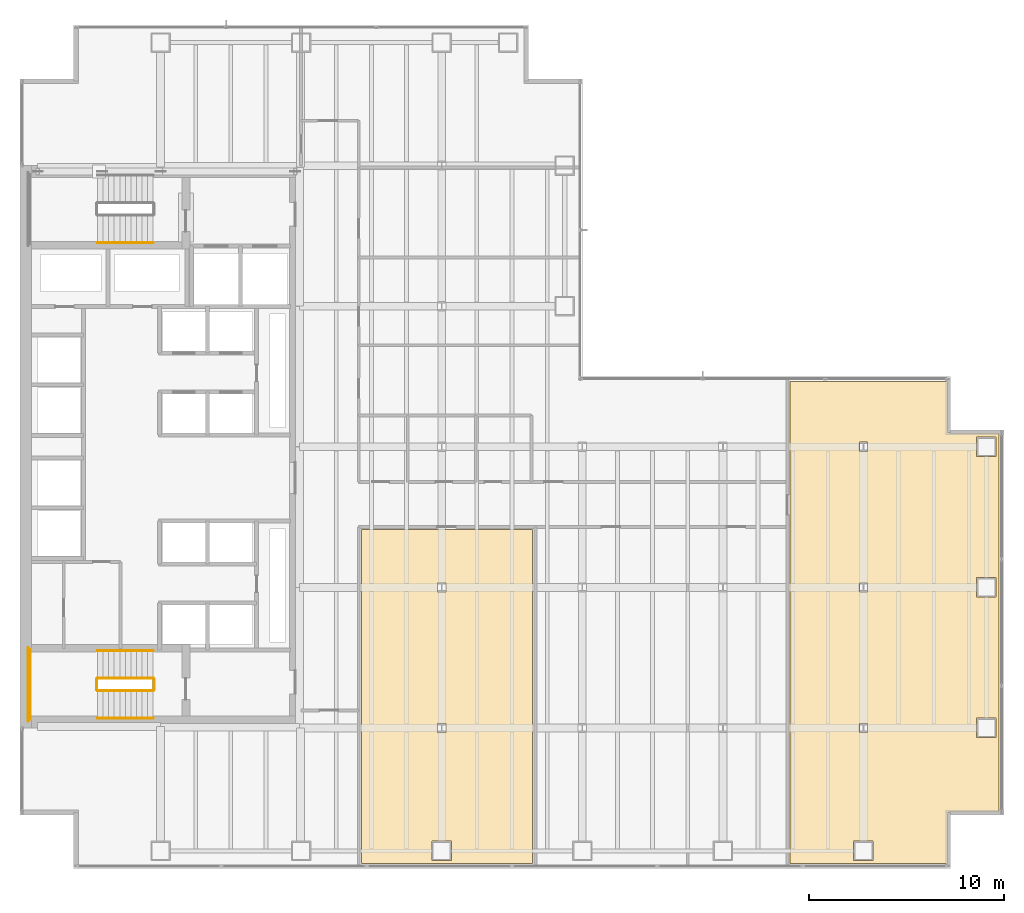
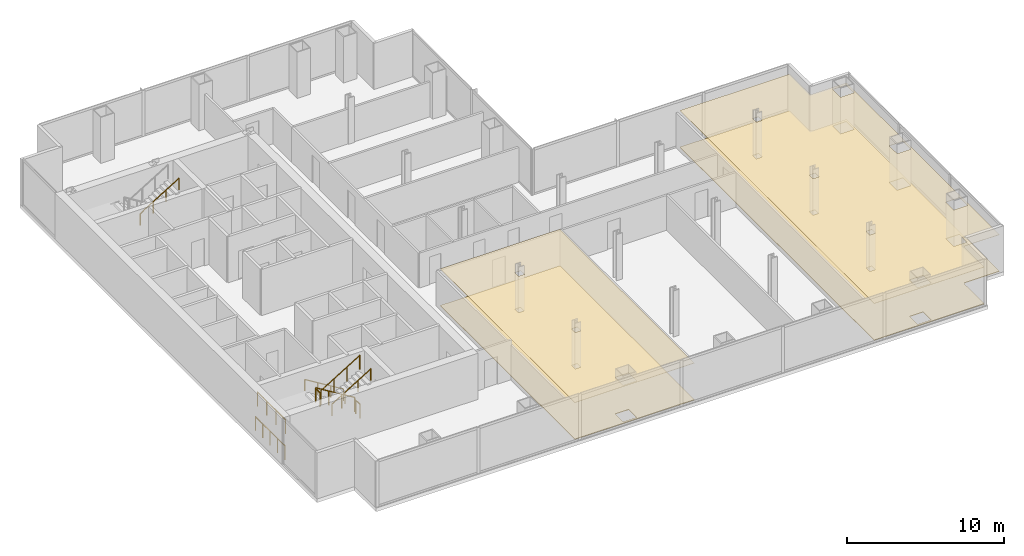
# One storey, part 23 of 24: 9 railings, 4 coverings.
"""IFC4 building model written with IfcOpenShell, lengths in metres."""

from ifc_helpers import new_model, si_unit, direction, frame, origin, origin_2d, place, context, subcontext, project, spatial, polyline, circle, outline, extrude, material, layer, layer_set, type_object, element, save


model = new_model("IFC4")

# Units and contexts
model_context = context("Model", 3, precision=1e-05, world=origin(), true_north=direction((0.0, 1.0)))
body_context = subcontext(model_context, "Body", "Model", "MODEL_VIEW")
ifc_project = project(units=[si_unit("LENGTHUNIT", "METRE"), si_unit("AREAUNIT", "SQUARE_METRE"), si_unit("VOLUMEUNIT", "CUBIC_METRE"), si_unit("PLANEANGLEUNIT", "RADIAN"), si_unit("MASSUNIT", "GRAM", prefix="KILO")], contexts=[model_context])

# Site, building, storey
site_placement = place(None, origin())
site = spatial("IfcSite", under=ifc_project, at=site_placement, CompositionType="ELEMENT")
building_placement = place(site_placement, origin())
building = spatial("IfcBuilding", under=site, at=building_placement, Name="Cobrela Telecom Tower", CompositionType="ELEMENT")
storey_placement = place(building_placement, frame((0.0, 0.0, 69.64990234375)))
storey = spatial("IfcBuildingStorey", under=building, at=storey_placement, Name="L17", CompositionType="ELEMENT", Elevation=69.64990234375)

# Coverings
ifc_material_1 = material(Name="Mineral Fibre Acoustic Ceiling Tile")
ifc_layer_1 = layer(ifc_material_1, 0.02490234375)
ifc_layer_set_1 = layer_set([ifc_layer_1], Name="Mineral Fibre Acoustic Ceiling Tile")
covering_type_1 = type_object("IfcCoveringType", Name="COV-CEIL-ACT", PredefinedType="CEILING", material=ifc_layer_set_1)
covering_1_placement = place(storey_placement, frame((0.0, 0.0, 2.85009765625)))
element("IfcCovering", 1, at=covering_1_placement, inside=storey, type_object=covering_type_1, Name="L17 Systems Engineering Studio 10 Suspended Acoustic Ceiling", PredefinedType="CEILING", context=body_context, shape_type="SweptSolid", body=[
    extrude(outline(polyline([(47.622802734375, 2.887451171875), (47.609375, 2.884033203125), (47.596435546875, 2.87939453125), (47.583984375, 2.87353515625), (47.572021484375, 2.866455078125), (47.561279296875, 2.8583984375), (47.551025390625, 2.84912109375), (47.541748046875, 2.8388671875), (47.53369140625, 2.827880859375), (47.526611328125, 2.81591796875), (47.5205078125, 2.8037109375), (47.51611328125, 2.79052734375), (47.5126953125, 2.77734375), (47.510498046875, 2.763671875), (47.510009765625, 2.7509765625), (47.510009765625, 0.260009765625), (39.43994140625, 0.260009765625), (39.43994140625, 24.93994140625), (47.510009765625, 24.93994140625), (47.510009765625, 22.448974609375), (47.510498046875, 22.436279296875), (47.5126953125, 22.422607421875), (47.51611328125, 22.409423828125), (47.5205078125, 22.396484375), (47.526611328125, 22.384033203125), (47.53369140625, 22.3720703125), (47.541748046875, 22.361083984375), (47.551025390625, 22.35107421875), (47.561279296875, 22.341796875), (47.572021484375, 22.33349609375), (47.583984375, 22.326416015625), (47.596435546875, 22.320556640625), (47.609375, 22.31591796875), (47.622802734375, 22.3125), (47.63623046875, 22.310546875), (47.64892578125, 22.31005859375), (50.139892578125, 22.31005859375), (50.139892578125, 2.889892578125), (47.64892578125, 2.889892578125), (47.63623046875, 2.889404296875), (47.622802734375, 2.887451171875)]), holes=[polyline([(43.699951171875, 0.39990234375), (43.699951171875, 1.39990234375), (42.699951171875, 1.39990234375), (42.699951171875, 0.39990234375), (43.699951171875, 0.39990234375)]), polyline([(43.410888671875, 6.967529296875), (43.410888671875, 7.4326171875), (42.989013671875, 7.4326171875), (42.989013671875, 6.967529296875), (43.410888671875, 6.967529296875)]), polyline([(50.0, 6.699951171875), (50.0, 7.699951171875), (49.0, 7.699951171875), (49.0, 6.699951171875), (50.0, 6.699951171875)]), polyline([(43.410888671875, 14.16748046875), (43.410888671875, 14.632568359375), (42.989013671875, 14.632568359375), (42.989013671875, 14.16748046875), (43.410888671875, 14.16748046875)]), polyline([(50.0, 13.89990234375), (50.0, 14.89990234375), (49.0, 14.89990234375), (49.0, 13.89990234375), (50.0, 13.89990234375)]), polyline([(43.410888671875, 21.367431640625), (43.410888671875, 21.83251953125), (42.989013671875, 21.83251953125), (42.989013671875, 21.367431640625), (43.410888671875, 21.367431640625)]), polyline([(50.0, 21.10009765625), (50.0, 22.10009765625), (49.0, 22.10009765625), (49.0, 21.10009765625), (50.0, 21.10009765625)])]), origin(), (0.0, 0.0, 1.0), 0.02490234375),
])
covering_2_placement = place(storey_placement, frame((0.0, 0.0, 2.85009765625)))
element("IfcCovering", 2, at=covering_2_placement, inside=storey, type_object=covering_type_1, Name="L17 Systems Engineering Studio 7 Suspended Acoustic Ceiling", PredefinedType="CEILING", context=body_context, shape_type="SweptSolid", body=[
    extrude(outline(polyline([(26.260009765625, 0.260009765625), (17.489990234375, 0.260009765625), (17.489990234375, 17.360107421875), (26.260009765625, 17.360107421875), (26.260009765625, 0.260009765625)]), holes=[polyline([(22.10009765625, 0.39990234375), (22.10009765625, 1.39990234375), (21.10009765625, 1.39990234375), (21.10009765625, 0.39990234375), (22.10009765625, 0.39990234375)]), polyline([(21.81103515625, 6.967529296875), (21.81103515625, 7.4326171875), (21.388916015625, 7.4326171875), (21.388916015625, 6.967529296875), (21.81103515625, 6.967529296875)]), polyline([(21.81103515625, 14.16748046875), (21.81103515625, 14.632568359375), (21.388916015625, 14.632568359375), (21.388916015625, 14.16748046875), (21.81103515625, 14.16748046875)])]), origin(), (0.0, 0.0, 1.0), 0.02490234375),
])
ifc_material_2 = material(Name="Honed Colombian Basalt Stone", Category="masonry")
ifc_layer_2 = layer(ifc_material_2, 0.0400390625)
ifc_layer_set_2 = layer_set([ifc_layer_2], Name="Honed Colombian Basalt Stone")
covering_type_2 = type_object("IfcCoveringType", Name="COV-FLR-STONE", PredefinedType="FLOORING", material=ifc_layer_set_2)
covering_3_placement = place(storey_placement, origin())
element("IfcCovering", 3, at=covering_3_placement, inside=storey, type_object=covering_type_2, Name="L17 Systems Engineering Studio 10 Raised Technical Flooring", PredefinedType="FLOORING", context=body_context, shape_type="SweptSolid", body=[
    extrude(outline(polyline([(47.622802734375, 2.887451171875), (47.609375, 2.884033203125), (47.596435546875, 2.87939453125), (47.583984375, 2.87353515625), (47.572021484375, 2.866455078125), (47.561279296875, 2.8583984375), (47.551025390625, 2.84912109375), (47.541748046875, 2.8388671875), (47.53369140625, 2.827880859375), (47.526611328125, 2.81591796875), (47.5205078125, 2.8037109375), (47.51611328125, 2.79052734375), (47.5126953125, 2.77734375), (47.510498046875, 2.763671875), (47.510009765625, 2.7509765625), (47.510009765625, 0.260009765625), (39.43994140625, 0.260009765625), (39.43994140625, 24.93994140625), (47.510009765625, 24.93994140625), (47.510009765625, 22.448974609375), (47.510498046875, 22.436279296875), (47.5126953125, 22.422607421875), (47.51611328125, 22.409423828125), (47.5205078125, 22.396484375), (47.526611328125, 22.384033203125), (47.53369140625, 22.3720703125), (47.541748046875, 22.361083984375), (47.551025390625, 22.35107421875), (47.561279296875, 22.341796875), (47.572021484375, 22.33349609375), (47.583984375, 22.326416015625), (47.596435546875, 22.320556640625), (47.609375, 22.31591796875), (47.622802734375, 22.3125), (47.63623046875, 22.310546875), (47.64892578125, 22.31005859375), (50.139892578125, 22.31005859375), (50.139892578125, 2.889892578125), (47.64892578125, 2.889892578125), (47.63623046875, 2.889404296875), (47.622802734375, 2.887451171875)]), holes=[polyline([(43.699951171875, 0.39990234375), (43.699951171875, 1.39990234375), (42.699951171875, 1.39990234375), (42.699951171875, 0.39990234375), (43.699951171875, 0.39990234375)]), polyline([(43.410888671875, 6.967529296875), (43.410888671875, 7.4326171875), (42.989013671875, 7.4326171875), (42.989013671875, 6.967529296875), (43.410888671875, 6.967529296875)]), polyline([(50.0, 6.699951171875), (50.0, 7.699951171875), (49.0, 7.699951171875), (49.0, 6.699951171875), (50.0, 6.699951171875)]), polyline([(43.410888671875, 14.16748046875), (43.410888671875, 14.632568359375), (42.989013671875, 14.632568359375), (42.989013671875, 14.16748046875), (43.410888671875, 14.16748046875)]), polyline([(50.0, 13.89990234375), (50.0, 14.89990234375), (49.0, 14.89990234375), (49.0, 13.89990234375), (50.0, 13.89990234375)]), polyline([(43.410888671875, 21.367431640625), (43.410888671875, 21.83251953125), (42.989013671875, 21.83251953125), (42.989013671875, 21.367431640625), (43.410888671875, 21.367431640625)]), polyline([(50.0, 21.10009765625), (50.0, 22.10009765625), (49.0, 22.10009765625), (49.0, 21.10009765625), (50.0, 21.10009765625)])]), origin(), (0.0, 0.0, 1.0), 0.0400390625),
])
covering_4_placement = place(storey_placement, origin())
element("IfcCovering", 4, at=covering_4_placement, inside=storey, type_object=covering_type_2, Name="L17 Systems Engineering Studio 7 Raised Technical Flooring", PredefinedType="FLOORING", context=body_context, shape_type="SweptSolid", body=[
    extrude(outline(polyline([(26.260009765625, 0.260009765625), (17.489990234375, 0.260009765625), (17.489990234375, 17.360107421875), (26.260009765625, 17.360107421875), (26.260009765625, 0.260009765625)]), holes=[polyline([(22.10009765625, 0.39990234375), (22.10009765625, 1.39990234375), (21.10009765625, 1.39990234375), (21.10009765625, 0.39990234375), (22.10009765625, 0.39990234375)]), polyline([(21.81103515625, 6.967529296875), (21.81103515625, 7.4326171875), (21.388916015625, 7.4326171875), (21.388916015625, 6.967529296875), (21.81103515625, 6.967529296875)]), polyline([(21.81103515625, 14.16748046875), (21.81103515625, 14.632568359375), (21.388916015625, 14.632568359375), (21.388916015625, 14.16748046875), (21.81103515625, 14.16748046875)])]), origin(), (0.0, 0.0, 1.0), 0.0400390625),
])

# Railings
ifc_material_3 = material(Name="Steel ASTM A36", Category="steel")
railing_type_1 = type_object("IfcRailingType", Name="RAIL-GUARD-1100", PredefinedType="GUARDRAIL", material=ifc_material_3)
railing_1_placement = place(storey_placement, frame((6.820068359375, 9.75, 0.175048828125)))
element("IfcRailing", 5, at=railing_1_placement, inside=storey, type_object=railing_type_1, Name="L17 ST2 stair guard 1", PredefinedType="GUARDRAIL", context=body_context, shape_type="SweptSolid", body=[
    extrude(circle(Radius=0.02392578125, at=origin_2d()), frame((0.0, 0.0, 1.076171875), z_axis=(-0.852179220489, 0.0, 0.52325001306), x_axis=(0.0, -1.0, 0.0)), (0.0, 0.0, 1.0), 3.344482421875),
    extrude(circle(Radius=0.02099609375, at=origin_2d()), origin(), (0.0, 0.0, 1.0), 1.052001953125),
    extrude(circle(Radius=0.02099609375, at=origin_2d()), frame((-0.949951171875, 0.0, 0.583251953125)), (0.0, 0.0, 1.0), 1.052001953125),
    extrude(circle(Radius=0.02099609375, at=origin_2d()), frame((-1.900146484375, 0.0, 1.166748046875)), (0.0, 0.0, 1.0), 1.052001953125),
    extrude(circle(Radius=0.02099609375, at=origin_2d()), frame((-2.85009765625, 0.0, 1.75)), (0.0, 0.0, 1.0), 1.052001953125),
])
railing_2_placement = place(storey_placement, frame((3.919921875, 9.699951171875, 1.925048828125)))
element("IfcRailing", 6, at=railing_2_placement, inside=storey, type_object=railing_type_1, Name="L17 ST2 stair guard 2", PredefinedType="GUARDRAIL", context=body_context, shape_type="SweptSolid", body=[
    extrude(circle(Radius=0.02392578125, at=origin_2d()), frame((0.0, 0.0, 1.076171875), z_axis=(0.0, -1.0, 0.0), x_axis=(1.0, 0.0, 0.0)), (0.0, 0.0, 1.0), 0.550048828125),
    extrude(circle(Radius=0.02099609375, at=origin_2d()), origin(), (0.0, 0.0, 1.0), 1.052001953125),
    extrude(circle(Radius=0.02099609375, at=origin_2d()), frame((0.0, -0.550048828125, 0.0)), (0.0, 0.0, 1.0), 1.052001953125),
])
railing_3_placement = place(storey_placement, frame((0.530029296875, 11.199951171875, 1.925048828125)))
element("IfcRailing", 7, at=railing_3_placement, inside=storey, type_object=railing_type_1, Name="L17 ST2 stair guard 3", PredefinedType="GUARDRAIL", context=body_context, shape_type="SweptSolid", body=[
    extrude(circle(Radius=0.02392578125, at=origin_2d()), frame((0.0, 0.0, 1.076171875), z_axis=(0.0, -1.0, 0.0), x_axis=(1.0, 0.0, 0.0)), (0.0, 0.0, 1.0), 3.550048828125),
    extrude(circle(Radius=0.02099609375, at=origin_2d()), origin(), (0.0, 0.0, 1.0), 1.052001953125),
    extrude(circle(Radius=0.02099609375, at=origin_2d()), frame((0.0, -1.183349609375, 0.0)), (0.0, 0.0, 1.0), 1.052001953125),
    extrude(circle(Radius=0.02099609375, at=origin_2d()), frame((0.0, -2.36669921875, 0.0)), (0.0, 0.0, 1.0), 1.052001953125),
    extrude(circle(Radius=0.02099609375, at=origin_2d()), frame((0.0, -3.550048828125, 0.0)), (0.0, 0.0, 1.0), 1.052001953125),
])
railing_4_placement = place(storey_placement, frame((3.969970703125, 9.10009765625, 2.10009765625)))
element("IfcRailing", 8, at=railing_4_placement, inside=storey, type_object=railing_type_1, Name="L17 ST2 stair guard 4", PredefinedType="GUARDRAIL", context=body_context, shape_type="SweptSolid", body=[
    extrude(circle(Radius=0.02392578125, at=origin_2d()), frame((0.0, 0.0, 1.076171875), z_axis=(0.852179220489, 0.0, 0.52325001306), x_axis=(0.0, 1.0, 0.0)), (0.0, 0.0, 1.0), 3.344482421875),
    extrude(circle(Radius=0.02099609375, at=origin_2d()), origin(), (0.0, 0.0, 1.0), 1.052001953125),
    extrude(circle(Radius=0.02099609375, at=origin_2d()), frame((0.949951171875, 0.0, 0.583251953125)), (0.0, 0.0, 1.0), 1.052001953125),
    extrude(circle(Radius=0.02099609375, at=origin_2d()), frame((1.900146484375, 0.0, 1.166748046875)), (0.0, 0.0, 1.0), 1.052001953125),
    extrude(circle(Radius=0.02099609375, at=origin_2d()), frame((2.85009765625, 0.0, 1.75)), (0.0, 0.0, 1.0), 1.052001953125),
])
railing_5_placement = place(storey_placement, frame((6.8701171875, 9.699951171875, 0.0)))
element("IfcRailing", 9, at=railing_5_placement, inside=storey, type_object=railing_type_1, Name="L17 ST2 stair guard 5", PredefinedType="GUARDRAIL", context=body_context, shape_type="SweptSolid", body=[
    extrude(circle(Radius=0.02392578125, at=origin_2d()), frame((0.0, 0.0, 1.076171875), z_axis=(0.0, -1.0, 0.0), x_axis=(1.0, 0.0, 0.0)), (0.0, 0.0, 1.0), 0.550048828125),
    extrude(circle(Radius=0.02099609375, at=origin_2d()), origin(), (0.0, 0.0, 1.0), 1.052001953125),
    extrude(circle(Radius=0.02099609375, at=origin_2d()), frame((0.0, -0.550048828125, 0.0)), (0.0, 0.0, 1.0), 1.052001953125),
])
railing_6_placement = place(storey_placement, frame((0.429931640625, 11.300048828125, 0.0)))
element("IfcRailing", 10, at=railing_6_placement, inside=storey, type_object=railing_type_1, Name="L17 ST2 stair guard 6", PredefinedType="GUARDRAIL", context=body_context, shape_type="SweptSolid", body=[
    extrude(circle(Radius=0.02392578125, at=origin_2d()), frame((0.0, 0.0, 1.076171875), z_axis=(0.0, -1.0, 0.0), x_axis=(1.0, 0.0, 0.0)), (0.0, 0.0, 1.0), 3.75),
    extrude(circle(Radius=0.02099609375, at=origin_2d()), origin(), (0.0, 0.0, 1.0), 1.052001953125),
    extrude(circle(Radius=0.02099609375, at=origin_2d()), frame((0.0, -0.9375, 0.0)), (0.0, 0.0, 1.0), 1.052001953125),
    extrude(circle(Radius=0.02099609375, at=origin_2d()), frame((0.0, -1.875, 0.0)), (0.0, 0.0, 1.0), 1.052001953125),
    extrude(circle(Radius=0.02099609375, at=origin_2d()), frame((0.0, -2.8125, 0.0)), (0.0, 0.0, 1.0), 1.052001953125),
    extrude(circle(Radius=0.02099609375, at=origin_2d()), frame((0.0, -3.75, 0.0)), (0.0, 0.0, 1.0), 1.052001953125),
])
railing_type_2 = type_object("IfcRailingType", Name="RAIL-HAND-920", PredefinedType="HANDRAIL", material=ifc_material_3)
railing_7_placement = place(storey_placement, frame((3.969970703125, 32.050048828125, 2.10009765625)))
element("IfcRailing", 11, at=railing_7_placement, inside=storey, type_object=railing_type_2, Name="L17 ST1 stair handrail 2", PredefinedType="HANDRAIL", context=body_context, shape_type="SweptSolid", body=[
    extrude(circle(Radius=0.02392578125, at=origin_2d()), frame((0.0, 0.0, 0.8759765625), z_axis=(0.852179220489, 0.0, 0.52325001306), x_axis=(0.0, 1.0, 0.0)), (0.0, 0.0, 1.0), 3.344482421875),
    extrude(circle(Radius=0.02099609375, at=origin_2d()), origin(), (0.0, 0.0, 1.0), 0.851806640625),
    extrude(circle(Radius=0.02099609375, at=origin_2d()), frame((0.949951171875, 0.0, 0.583251953125)), (0.0, 0.0, 1.0), 0.851806640625),
    extrude(circle(Radius=0.02099609375, at=origin_2d()), frame((1.900146484375, 0.0, 1.166748046875)), (0.0, 0.0, 1.0), 0.851806640625),
    extrude(circle(Radius=0.02099609375, at=origin_2d()), frame((2.85009765625, 0.0, 1.75)), (0.0, 0.0, 1.0), 0.851806640625),
])
railing_8_placement = place(storey_placement, frame((6.820068359375, 11.14990234375, 0.175048828125)))
element("IfcRailing", 12, at=railing_8_placement, inside=storey, type_object=railing_type_2, Name="L17 ST2 stair handrail 1", PredefinedType="HANDRAIL", context=body_context, shape_type="SweptSolid", body=[
    extrude(circle(Radius=0.02392578125, at=origin_2d()), frame((0.0, 0.0, 0.8759765625), z_axis=(-0.852179220489, 0.0, 0.52325001306), x_axis=(0.0, -1.0, 0.0)), (0.0, 0.0, 1.0), 3.344482421875),
    extrude(circle(Radius=0.02099609375, at=origin_2d()), origin(), (0.0, 0.0, 1.0), 0.851806640625),
    extrude(circle(Radius=0.02099609375, at=origin_2d()), frame((-0.949951171875, 0.0, 0.583251953125)), (0.0, 0.0, 1.0), 0.851806640625),
    extrude(circle(Radius=0.02099609375, at=origin_2d()), frame((-1.900146484375, 0.0, 1.166748046875)), (0.0, 0.0, 1.0), 0.851806640625),
    extrude(circle(Radius=0.02099609375, at=origin_2d()), frame((-2.85009765625, 0.0, 1.75)), (0.0, 0.0, 1.0), 0.851806640625),
])
railing_9_placement = place(storey_placement, frame((3.969970703125, 7.699951171875, 2.10009765625)))
element("IfcRailing", 13, at=railing_9_placement, inside=storey, type_object=railing_type_2, Name="L17 ST2 stair handrail 2", PredefinedType="HANDRAIL", context=body_context, shape_type="SweptSolid", body=[
    extrude(circle(Radius=0.02392578125, at=origin_2d()), frame((0.0, 0.0, 0.8759765625), z_axis=(0.852179220489, 0.0, 0.52325001306), x_axis=(0.0, 1.0, 0.0)), (0.0, 0.0, 1.0), 3.344482421875),
    extrude(circle(Radius=0.02099609375, at=origin_2d()), origin(), (0.0, 0.0, 1.0), 0.851806640625),
    extrude(circle(Radius=0.02099609375, at=origin_2d()), frame((0.949951171875, 0.0, 0.583251953125)), (0.0, 0.0, 1.0), 0.851806640625),
    extrude(circle(Radius=0.02099609375, at=origin_2d()), frame((1.900146484375, 0.0, 1.166748046875)), (0.0, 0.0, 1.0), 0.851806640625),
    extrude(circle(Radius=0.02099609375, at=origin_2d()), frame((2.85009765625, 0.0, 1.75)), (0.0, 0.0, 1.0), 0.851806640625),
])

save(model, "model.ifc")
